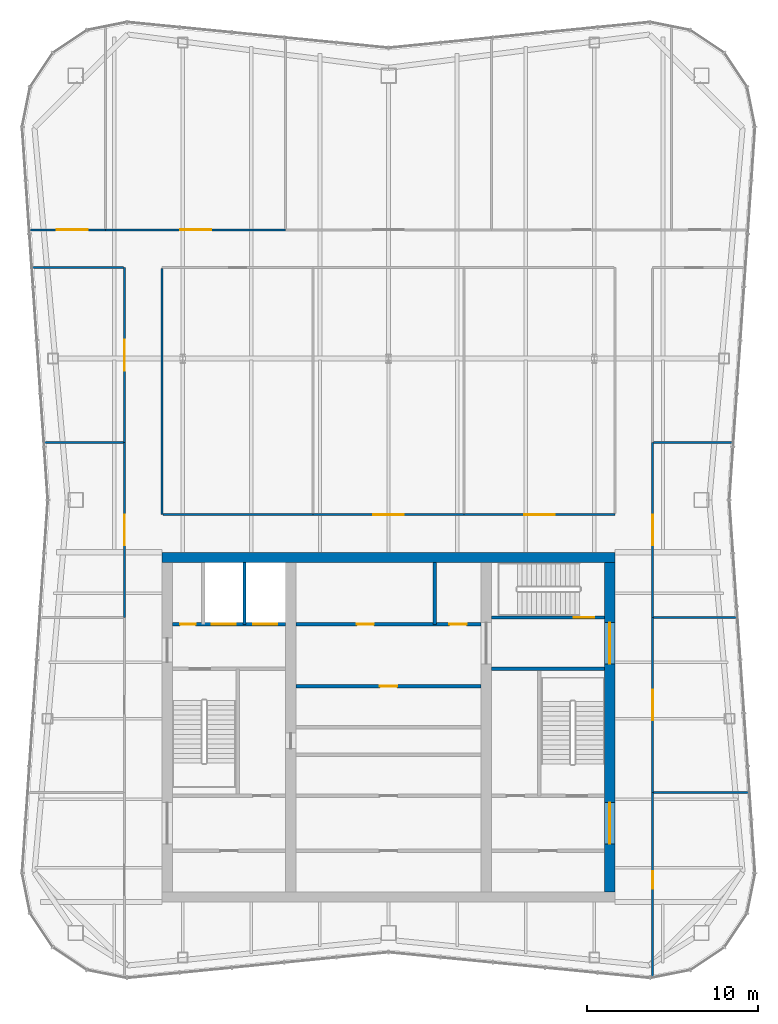
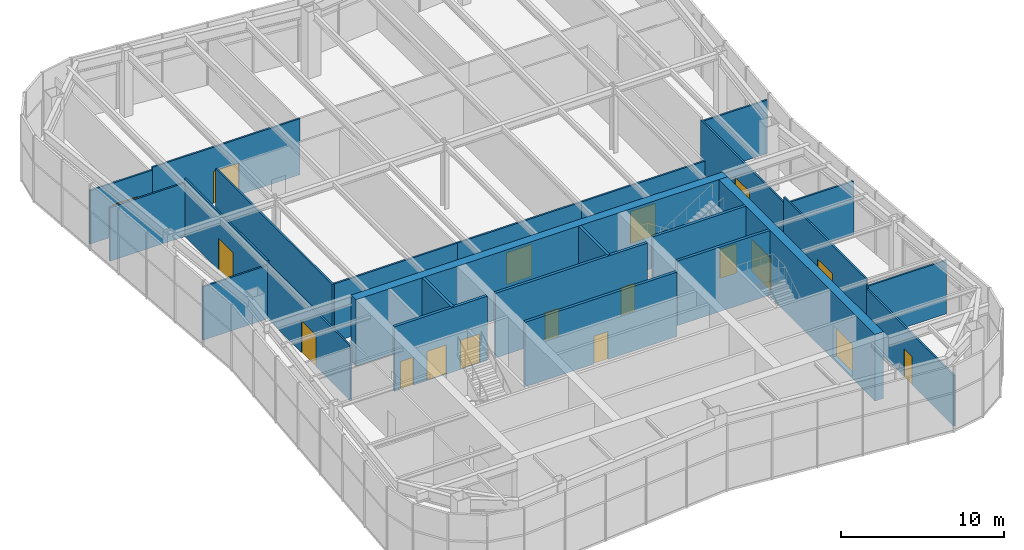
# One storey, part 10 of 13: 25 walls, 18 doors, 18 openings.
"""IFC4 building model written with IfcOpenShell, lengths in metres."""

import ifcopenshell
import ifcopenshell.guid

model = None  # the IFC model being written
_history = None  # IfcOwnerHistory: only IFC2X3 demands one
_inside = {}  # id of a spatial element -> (the spatial element, [elements in it])
_under = {}  # id of a project, library or spatial element -> (it, [spatial elements below it])
_declared = {}  # id of a project -> (the project, [libraries it declares])
_typed = {}  # id of a type object -> (the type object, [elements of that type])
_made_of = {}  # id of a material, layer set ... -> (it, [elements and type objects made of it])


def new_model(schema):
    """Start an empty IFC model of exactly this schema.

    Asked for "IFC4X3", IfcOpenShell would pick the latest addendum, in which some entities
    have other attributes; the version numbers below select the first issue.
    IFC2X3 requires an IfcOwnerHistory on every rooted entity: one is made here for all.
    """
    global model, _history
    if schema == "IFC4X3":
        model = ifcopenshell.file(schema_version=(4, 3, 0, 0))
    else:
        model = ifcopenshell.file(schema=schema)
    _inside.clear()
    _under.clear()
    _declared.clear()
    _typed.clear()
    _made_of.clear()
    _history = None
    if model.schema == "IFC2X3":
        org = make("IfcOrganization", Name="unknown")
        user = make(
            "IfcPersonAndOrganization",
            ThePerson=make("IfcPerson", FamilyName="unknown"),
            TheOrganization=org,
        )
        app = make(
            "IfcApplication",
            ApplicationDeveloper=org,
            Version="unknown",
            ApplicationFullName="unknown",
            ApplicationIdentifier="unknown",
        )
        _history = make(
            "IfcOwnerHistory",
            OwningUser=user,
            OwningApplication=app,
            ChangeAction="ADDED",
            CreationDate=0,
        )
    return model


def make(cls, **values):
    """One entity of the class cls with the attributes given. An attribute that is None is left unset."""
    return model.create_entity(
        cls, **{name: value for name, value in values.items() if value is not None}
    )


def rooted(cls, **values):
    """An entity with a GlobalId (a new one), such as an element, a storey or a relation."""
    return make(cls, GlobalId=ifcopenshell.guid.new(), OwnerHistory=_history, **values)


def si_unit(unit_type, name, prefix=None):
    """IfcSIUnit, for example si_unit("LENGTHUNIT", "METRE", prefix="MILLI")."""
    return make("IfcSIUnit", UnitType=unit_type, Prefix=prefix, Name=name)


def assignment(units):
    """IfcUnitAssignment: the units of a project."""
    return None if units is None else make("IfcUnitAssignment", Units=units)


def point(xyz):
    """IfcCartesianPoint."""
    return None if xyz is None else make("IfcCartesianPoint", Coordinates=xyz)


def direction(xyz):
    """IfcDirection."""
    return None if xyz is None else make("IfcDirection", DirectionRatios=xyz)


def frame(location, z_axis=None, x_axis=None):
    """IfcAxis2Placement3D, a coordinate frame: its origin and axes. An axis left out is left unset."""
    return make(
        "IfcAxis2Placement3D",
        Location=point(location),
        Axis=direction(z_axis),
        RefDirection=direction(x_axis),
    )


def frame_2d(location, x_axis=None):
    """IfcAxis2Placement2D, a coordinate frame in the plane: its origin and x axis."""
    return make(
        "IfcAxis2Placement2D", Location=point(location), RefDirection=direction(x_axis)
    )


def origin():
    """The frame at (0, 0, 0) with its axes left unset."""
    return frame((0.0, 0.0, 0.0))


def place(relative_to, where):
    """IfcLocalPlacement: puts the frame where relative to a parent placement (None: the world)."""
    return make(
        "IfcLocalPlacement", PlacementRelTo=relative_to, RelativePlacement=where
    )


def context(
    kind, dimensions, precision=None, world=None, true_north=None, identifier=None
):
    """IfcGeometricRepresentationContext, for example the 3D "Model" context."""
    return make(
        "IfcGeometricRepresentationContext",
        ContextIdentifier=identifier,
        ContextType=kind,
        CoordinateSpaceDimension=dimensions,
        Precision=precision,
        WorldCoordinateSystem=world,
        TrueNorth=true_north,
    )


def subcontext(parent, identifier, kind, view, scale=None):
    """IfcGeometricRepresentationSubContext, for example "Body" below "Model"."""
    return make(
        "IfcGeometricRepresentationSubContext",
        ContextIdentifier=identifier,
        ContextType=kind,
        ParentContext=parent,
        TargetScale=scale,
        TargetView=view,
    )


def project(units=None, contexts=None):
    """IfcProject with its units and contexts."""
    return rooted(
        "IfcProject",
        Name="project",
        RepresentationContexts=contexts,
        UnitsInContext=assignment(units),
    )


def spatial(cls, under=None, at=None, **own):
    """A site, building, storey or space (cls), placed at a placement, below another one or the project."""
    s = rooted(cls, ObjectPlacement=at, **own)
    if under is not None:
        _under.setdefault(under.id(), (under, []))[1].append(s)
    return s


def profile(cls, at=None, kind="AREA", **sizes):
    """A parametric profile (cls). Its sizes go by their IFC names, for example OverallWidth=200.0."""
    return make(cls, ProfileType=kind, Position=at, **sizes)


def rectangle(**sizes):
    """IfcRectangleProfileDef."""
    return profile("IfcRectangleProfileDef", **sizes)


def extrude(swept, where, along, depth):
    """IfcExtrudedAreaSolid: the profile swept, set in the frame where, extruded along a direction by depth."""
    return make(
        "IfcExtrudedAreaSolid",
        SweptArea=swept,
        Position=where,
        ExtrudedDirection=direction(along),
        Depth=depth,
    )


def shape(context_of_items, identifier, shape_type, items):
    """IfcShapeRepresentation: the items that make up one representation, for example the "Body"."""
    return make(
        "IfcShapeRepresentation",
        ContextOfItems=context_of_items,
        RepresentationIdentifier=identifier,
        RepresentationType=shape_type,
        Items=items,
    )


def material(Name=None, Category=None):
    """IfcMaterial."""
    return make("IfcMaterial", Name=Name, Category=Category)


def layer(
    of_material, thickness, ventilated=None, Name=None, Category=None, Priority=None
):
    """IfcMaterialLayer: one layer of a wall or slab, of a material (None: an air gap)."""
    return make(
        "IfcMaterialLayer",
        Material=of_material,
        LayerThickness=thickness,
        IsVentilated=ventilated,
        Name=Name,
        Category=Category,
        Priority=Priority,
    )


def layer_set(layers, Name=None):
    """IfcMaterialLayerSet."""
    return make("IfcMaterialLayerSet", MaterialLayers=layers, LayerSetName=Name)


def made_of(thing, what):
    """Note that an element or type object is made of a material, layer set ...; save() writes the relation."""
    if what is not None:
        _made_of.setdefault(what.id(), (what, []))[1].append(thing)
    return thing


def type_object(cls, material=None, **own):
    """A type object (cls), such as IfcWallType, which elements share."""
    return made_of(rooted(cls, **own), material)


def element(
    cls,
    number,
    at=None,
    inside=None,
    cuts=None,
    type_object=None,
    material=None,
    context=None,
    identifier="Body",
    shape_type=None,
    held_by="IfcProductDefinitionShape",
    body=None,
    shapes=None,
    **own,
):
    """One element of the class cls, such as IfcWall. Its Tag is "e" and its number.

    at: its placement. inside: the storey or other place that contains it. cuts: it is an
    opening in that element (IfcRelVoidsElement). A single representation is given by context,
    identifier, shape_type and body (its items); several are given by shapes. held_by: the class
    of the entity that holds the representations. save() writes the other relations.
    """
    e = rooted(cls, Tag="e%d" % number, ObjectPlacement=at, **own)
    if body is not None:
        shapes = [shape(context, identifier, shape_type, body)]
    if shapes is not None:
        e.Representation = make(held_by, Representations=shapes)
    if inside is not None:
        _inside.setdefault(inside.id(), (inside, []))[1].append(e)
    if cuts is not None:
        rooted(
            "IfcRelVoidsElement", RelatingBuildingElement=cuts, RelatedOpeningElement=e
        )
    if type_object is not None:
        _typed.setdefault(type_object.id(), (type_object, []))[1].append(e)
    return made_of(e, material)


def fill(opening, filler):
    """IfcRelFillsElement: the door or window that sits in an opening."""
    return rooted(
        "IfcRelFillsElement",
        RelatingOpeningElement=opening,
        RelatedBuildingElement=filler,
    )


def aggregate(whole, parts):
    """IfcRelAggregates: a whole, such as a stair, and the parts it consists of."""
    return rooted("IfcRelAggregates", RelatingObject=whole, RelatedObjects=parts)


def save(model, path):
    """Write the relations noted so far, then the file.

    IfcRelAggregates (storeys below a building ...), IfcRelContainedInSpatialStructure (elements
    in a storey), IfcRelDefinesByType, IfcRelAssociatesMaterial and IfcRelDeclares: one each for
    every whole, place, type object, material and project.
    """
    for whole, parts in _under.values():
        aggregate(whole, parts)
    for where, things in _inside.values():
        rooted(
            "IfcRelContainedInSpatialStructure",
            RelatedElements=things,
            RelatingStructure=where,
        )
    for kind, things in _typed.values():
        rooted("IfcRelDefinesByType", RelatedObjects=things, RelatingType=kind)
    for what, things in _made_of.values():
        rooted("IfcRelAssociatesMaterial", RelatedObjects=things, RelatingMaterial=what)
    for by, libraries in _declared.values():
        rooted("IfcRelDeclares", RelatingContext=by, RelatedDefinitions=libraries)
    model.write(path)


model = new_model("IFC4")

# Units and contexts
model_context = context("Model", 3, precision=1e-05, world=origin(), true_north=direction((0.0, 1.0)))
body_context = subcontext(model_context, "Body", "Model", "MODEL_VIEW")
ifc_project = project(units=[si_unit("LENGTHUNIT", "METRE"), si_unit("AREAUNIT", "SQUARE_METRE"), si_unit("VOLUMEUNIT", "CUBIC_METRE"), si_unit("PLANEANGLEUNIT", "RADIAN"), si_unit("MASSUNIT", "GRAM", prefix="KILO")], contexts=[model_context])

# Site, building, storey
site_placement = place(None, origin())
site = spatial("IfcSite", under=ifc_project, at=site_placement, CompositionType="ELEMENT")
building_placement = place(site_placement, origin())
building = spatial("IfcBuilding", under=site, at=building_placement, Name="Verdant Reach Tower", CompositionType="ELEMENT")
storey_placement = place(building_placement, frame((0.0, 0.0, 354.5)))
storey = spatial("IfcBuildingStorey", under=building, at=storey_placement, Name="L80 Plant", CompositionType="ELEMENT", Elevation=354.5)

# Wall, opening, door
ifc_material_1 = material(Name="Gypsum board on steel studs", Category="steel")
ifc_layer_1 = layer(ifc_material_1, 0.199951171875)
ifc_layer_set_1 = layer_set([ifc_layer_1], Name="CO-WALL-ROOM")
wall_type_1 = type_object("IfcWallType", Name="CO-WALL-ROOM", PredefinedType="PARTITIONING", material=ifc_layer_set_1)
wall_1_placement = place(storey_placement, frame((-5.39990234375, 30.39990234375, 0.0), z_axis=(0.0, 0.0, 1.0), x_axis=(1.0, 0.0, 0.0)))
wall_1 = element("IfcWall", 1, at=wall_1_placement, inside=storey, type_object=wall_type_1, Name="Core partition, L80 Plant", PredefinedType="PARTITIONING", context=body_context, shape_type="SweptSolid", body=[
    extrude(rectangle(XDim=10.7998046875, YDim=0.199951171875, at=frame_2d((5.39990234375, 0.0))), origin(), (0.0, 0.0, 1.0), 4.85009765625),
])
opening_1_placement = place(wall_1_placement, frame((4.89990234375, 0.0, 0.0)))
opening_1 = element("IfcOpeningElement", 2, at=opening_1_placement, cuts=wall_1, Name="Opening CD", PredefinedType="OPENING", context=body_context, shape_type="SweptSolid", body=[
    extrude(rectangle(XDim=1.0, YDim=2.10009765625, at=frame_2d((0.5, 1.050048828125))), frame((0.0, 0.10986328125, 0.0), z_axis=(0.0, -1.0, 0.0), x_axis=(1.0, 0.0, 0.0)), (0.0, 0.0, 1.0), 0.219970703125),
])
ifc_material_2 = material(Name="Timber", Category="wood")
door_type_1 = type_object("IfcDoorType", Name="CO-DOOR-ROOM", OperationType="NOTDEFINED", PredefinedType="DOOR", material=ifc_material_2)
door_1_placement = place(opening_1_placement, origin())
door_1 = element("IfcDoor", 3, at=door_1_placement, inside=storey, type_object=door_type_1, Name="Core room door, L80 Plant", OperationType="SINGLE_SWING_LEFT", OverallHeight=2.10009765625, OverallWidth=1.0, PredefinedType="DOOR", context=body_context, shape_type="SweptSolid", body=[
    extrude(rectangle(XDim=1.0, YDim=2.10009765625, at=frame_2d((0.5, 1.050048828125))), frame((0.0, 0.02490234375, 0.0), z_axis=(0.0, -1.0, 0.0), x_axis=(1.0, 0.0, 0.0)), (0.0, 0.0, 1.0), 0.050048828125),
])
fill(opening_1, door_1)

# Wall, openings, doors
wall_2_placement = place(storey_placement, frame((-5.39990234375, 34.0, 0.0), z_axis=(0.0, 0.0, 1.0), x_axis=(1.0, 0.0, 0.0)))
wall_2 = element("IfcWall", 4, at=wall_2_placement, inside=storey, type_object=wall_type_1, Name="Core partition, L80 Plant", PredefinedType="PARTITIONING", context=body_context, shape_type="SweptSolid", body=[
    extrude(rectangle(XDim=10.7998046875, YDim=0.199951171875, at=frame_2d((5.39990234375, 0.0))), origin(), (0.0, 0.0, 1.0), 4.85009765625),
])
opening_2_placement = place(wall_2_placement, frame((3.550048828125, 0.0, 0.0)))
opening_2 = element("IfcOpeningElement", 5, at=opening_2_placement, cuts=wall_2, Name="Opening CD", PredefinedType="OPENING", context=body_context, shape_type="SweptSolid", body=[
    extrude(rectangle(XDim=1.0, YDim=2.10009765625, at=frame_2d((0.5, 1.050048828125))), frame((0.0, 0.10986328125, 0.0), z_axis=(0.0, -1.0, 0.0), x_axis=(1.0, 0.0, 0.0)), (0.0, 0.0, 1.0), 0.219970703125),
])
opening_3_placement = place(wall_2_placement, frame((8.949951171875, 0.0, 0.0)))
opening_3 = element("IfcOpeningElement", 6, at=opening_3_placement, cuts=wall_2, Name="Opening CD", PredefinedType="OPENING", context=body_context, shape_type="SweptSolid", body=[
    extrude(rectangle(XDim=1.0, YDim=2.10009765625, at=frame_2d((0.5, 1.050048828125))), frame((0.0, 0.10986328125, 0.0), z_axis=(0.0, -1.0, 0.0), x_axis=(1.0, 0.0, 0.0)), (0.0, 0.0, 1.0), 0.219970703125),
])
door_2_placement = place(opening_2_placement, origin())
door_2 = element("IfcDoor", 7, at=door_2_placement, inside=storey, type_object=door_type_1, Name="Core room door, L80 Plant", OperationType="SINGLE_SWING_LEFT", OverallHeight=2.10009765625, OverallWidth=1.0, PredefinedType="DOOR", context=body_context, shape_type="SweptSolid", body=[
    extrude(rectangle(XDim=1.0, YDim=2.10009765625, at=frame_2d((0.5, 1.050048828125))), frame((0.0, 0.02490234375, 0.0), z_axis=(0.0, -1.0, 0.0), x_axis=(1.0, 0.0, 0.0)), (0.0, 0.0, 1.0), 0.050048828125),
])
fill(opening_2, door_2)
door_3_placement = place(opening_3_placement, origin())
door_3 = element("IfcDoor", 8, at=door_3_placement, inside=storey, type_object=door_type_1, Name="Core room door, L80 Plant", OperationType="SINGLE_SWING_LEFT", OverallHeight=2.10009765625, OverallWidth=1.0, PredefinedType="DOOR", context=body_context, shape_type="SweptSolid", body=[
    extrude(rectangle(XDim=1.0, YDim=2.10009765625, at=frame_2d((0.5, 1.050048828125))), frame((0.0, 0.02490234375, 0.0), z_axis=(0.0, -1.0, 0.0), x_axis=(1.0, 0.0, 0.0)), (0.0, 0.0, 1.0), 0.050048828125),
])
fill(opening_3, door_3)

# Wall
wall_3_placement = place(storey_placement, frame((2.699951171875, 34.0, 0.0), z_axis=(0.0, 0.0, 1.0), x_axis=(0.0, 1.0, 0.0)))
element("IfcWall", 9, at=wall_3_placement, inside=storey, type_object=wall_type_1, Name="Core partition, L80 Plant", PredefinedType="PARTITIONING", context=body_context, shape_type="SweptSolid", body=[
    extrude(rectangle(XDim=3.60009765625, YDim=0.199951171875, at=frame_2d((1.800048828125, 0.0))), origin(), (0.0, 0.0, 1.0), 4.85009765625),
])

# Wall, openings, doors
ifc_material_3 = material(Name="Concrete C40/50", Category="concrete")
ifc_layer_2 = layer(ifc_material_3, 0.199951171875)
ifc_layer_set_2 = layer_set([ifc_layer_2], Name="CO-WALL-SHAFT")
wall_type_2 = type_object("IfcWallType", Name="CO-WALL-SHAFT", PredefinedType="PARTITIONING", material=ifc_layer_set_2)
wall_4_placement = place(storey_placement, frame((-12.60009765625, 34.0, 0.0), z_axis=(0.0, 0.0, 1.0), x_axis=(1.0, 0.0, 0.0)))
wall_4 = element("IfcWall", 10, at=wall_4_placement, inside=storey, type_object=wall_type_2, Name="Lift shaft wall, L80 Plant", PredefinedType="PARTITIONING", context=body_context, shape_type="SweptSolid", body=[
    extrude(rectangle(XDim=6.60009765625, YDim=0.199951171875, at=frame_2d((3.300048828125, 0.0))), origin(), (0.0, 0.0, 1.0), 4.85009765625),
])
opening_4_placement = place(wall_4_placement, frame((4.699951171875, 0.0, 0.0)))
opening_4 = element("IfcOpeningElement", 11, at=opening_4_placement, cuts=wall_4, Name="Opening LD-F1", PredefinedType="OPENING", context=body_context, shape_type="SweptSolid", body=[
    extrude(rectangle(XDim=1.39990234375, YDim=2.199951171875, at=frame_2d((0.699951171875, 1.10009765625))), frame((0.0, 0.10986328125, 0.0), z_axis=(0.0, -1.0, 0.0), x_axis=(1.0, 0.0, 0.0)), (0.0, 0.0, 1.0), 0.219970703125),
])
opening_5_placement = place(wall_4_placement, frame((2.300048828125, 0.0, 0.0)))
opening_5 = element("IfcOpeningElement", 12, at=opening_5_placement, cuts=wall_4, Name="Opening LD-F2", PredefinedType="OPENING", context=body_context, shape_type="SweptSolid", body=[
    extrude(rectangle(XDim=1.39990234375, YDim=2.199951171875, at=frame_2d((0.699951171875, 1.10009765625))), frame((0.0, 0.10986328125, 0.0), z_axis=(0.0, -1.0, 0.0), x_axis=(1.0, 0.0, 0.0)), (0.0, 0.0, 1.0), 0.219970703125),
])
opening_6_placement = place(wall_4_placement, frame((0.449951171875, 0.0, 0.0)))
opening_6 = element("IfcOpeningElement", 13, at=opening_6_placement, cuts=wall_4, Name="Opening RD", PredefinedType="OPENING", context=body_context, shape_type="SweptSolid", body=[
    extrude(rectangle(XDim=0.89990234375, YDim=2.10009765625, at=frame_2d((0.449951171875, 1.050048828125))), frame((0.0, 0.10986328125, 0.0), z_axis=(0.0, -1.0, 0.0), x_axis=(1.0, 0.0, 0.0)), (0.0, 0.0, 1.0), 0.219970703125),
])
ifc_material_4 = material(Name="Stainless steel", Category="steel")
door_type_2 = type_object("IfcDoorType", Name="CO-DOOR-LANDING-FF", OperationType="SLIDING_TO_LEFT", PredefinedType="DOOR", material=ifc_material_4)
door_4_placement = place(opening_4_placement, origin())
door_4 = element("IfcDoor", 14, at=door_4_placement, inside=storey, type_object=door_type_2, Name="Landing door F1, L80 Plant", OperationType="SLIDING_TO_LEFT", OverallHeight=2.199951171875, OverallWidth=1.39990234375, PredefinedType="DOOR", context=body_context, shape_type="SweptSolid", body=[
    extrude(rectangle(XDim=1.39990234375, YDim=2.199951171875, at=frame_2d((0.699951171875, 1.10009765625))), frame((0.0, 0.02490234375, 0.0), z_axis=(0.0, -1.0, 0.0), x_axis=(1.0, 0.0, 0.0)), (0.0, 0.0, 1.0), 0.050048828125),
])
fill(opening_4, door_4)
door_5_placement = place(opening_5_placement, origin())
door_5 = element("IfcDoor", 15, at=door_5_placement, inside=storey, type_object=door_type_2, Name="Landing door F2, L80 Plant", OperationType="SLIDING_TO_LEFT", OverallHeight=2.199951171875, OverallWidth=1.39990234375, PredefinedType="DOOR", context=body_context, shape_type="SweptSolid", body=[
    extrude(rectangle(XDim=1.39990234375, YDim=2.199951171875, at=frame_2d((0.699951171875, 1.10009765625))), frame((0.0, 0.02490234375, 0.0), z_axis=(0.0, -1.0, 0.0), x_axis=(1.0, 0.0, 0.0)), (0.0, 0.0, 1.0), 0.050048828125),
])
fill(opening_5, door_5)
ifc_material_5 = material(Name="Steel", Category="steel")
door_type_3 = type_object("IfcDoorType", Name="CO-DOOR-RISER", OperationType="NOTDEFINED", PredefinedType="DOOR", material=ifc_material_5)
door_6_placement = place(opening_6_placement, origin())
door_6 = element("IfcDoor", 16, at=door_6_placement, inside=storey, type_object=door_type_3, Name="Core room door, L80 Plant", OperationType="SINGLE_SWING_LEFT", OverallHeight=2.10009765625, OverallWidth=0.89990234375, PredefinedType="DOOR", context=body_context, shape_type="SweptSolid", body=[
    extrude(rectangle(XDim=0.89990234375, YDim=2.10009765625, at=frame_2d((0.449951171875, 1.050048828125))), frame((0.0, 0.02490234375, 0.0), z_axis=(0.0, -1.0, 0.0), x_axis=(1.0, 0.0, 0.0)), (0.0, 0.0, 1.0), 0.050048828125),
])
fill(opening_6, door_6)

# Walls
wall_5_placement = place(storey_placement, frame((-8.39990234375, 34.0, 0.0), z_axis=(0.0, 0.0, 1.0), x_axis=(0.0, 1.0, 0.0)))
element("IfcWall", 17, at=wall_5_placement, inside=storey, type_object=wall_type_2, Name="Lift shaft wall, L80 Plant", PredefinedType="PARTITIONING", context=body_context, shape_type="SweptSolid", body=[
    extrude(rectangle(XDim=3.60009765625, YDim=0.199951171875, at=frame_2d((1.800048828125, 0.0))), origin(), (0.0, 0.0, 1.0), 4.85009765625),
])
ifc_layer_3 = layer(ifc_material_3, 0.199951171875)
ifc_layer_set_3 = layer_set([ifc_layer_3], Name="CO-WALL-STAIR")
wall_type_3 = type_object("IfcWallType", Name="CO-WALL-STAIR", PredefinedType="PARTITIONING", material=ifc_layer_set_3)
wall_6_placement = place(storey_placement, frame((6.0, 31.39990234375, 0.0), z_axis=(0.0, 0.0, 1.0), x_axis=(1.0, 0.0, 0.0)))
element("IfcWall", 18, at=wall_6_placement, inside=storey, type_object=wall_type_3, Name="Stair enclosure wall, L80 Plant", PredefinedType="PARTITIONING", context=body_context, shape_type="SweptSolid", body=[
    extrude(rectangle(XDim=6.60009765625, YDim=0.199951171875, at=frame_2d((3.300048828125, 0.0))), origin(), (0.0, 0.0, 1.0), 4.85009765625),
])

# Wall, opening, door
wall_7_placement = place(storey_placement, frame((6.0, 34.39990234375, 0.0), z_axis=(0.0, 0.0, 1.0), x_axis=(1.0, 0.0, 0.0)))
wall_7 = element("IfcWall", 19, at=wall_7_placement, inside=storey, type_object=wall_type_3, Name="Stair enclosure wall, L80 Plant", PredefinedType="PARTITIONING", context=body_context, shape_type="SweptSolid", body=[
    extrude(rectangle(XDim=6.60009765625, YDim=0.199951171875, at=frame_2d((3.300048828125, 0.0))), origin(), (0.0, 0.0, 1.0), 4.85009765625),
])
opening_7_placement = place(wall_7_placement, frame((4.800048828125, 0.0, 0.0)))
opening_7 = element("IfcOpeningElement", 20, at=opening_7_placement, cuts=wall_7, Name="Opening SD", PredefinedType="OPENING", context=body_context, shape_type="SweptSolid", body=[
    extrude(rectangle(XDim=1.199951171875, YDim=2.199951171875, at=frame_2d((0.60009765625, 1.10009765625))), frame((0.0, 0.10986328125, 0.0), z_axis=(0.0, -1.0, 0.0), x_axis=(1.0, 0.0, 0.0)), (0.0, 0.0, 1.0), 0.219970703125),
])
door_type_4 = type_object("IfcDoorType", Name="CO-DOOR-STAIR", OperationType="NOTDEFINED", PredefinedType="DOOR", material=ifc_material_5)
door_7_placement = place(opening_7_placement, origin())
door_7 = element("IfcDoor", 21, at=door_7_placement, inside=storey, type_object=door_type_4, Name="Stair door, L80 Plant", OperationType="SINGLE_SWING_LEFT", OverallHeight=2.199951171875, OverallWidth=1.199951171875, PredefinedType="DOOR", context=body_context, shape_type="SweptSolid", body=[
    extrude(rectangle(XDim=1.199951171875, YDim=2.199951171875, at=frame_2d((0.60009765625, 1.10009765625))), frame((0.0, 0.02490234375, 0.0), z_axis=(0.0, -1.0, 0.0), x_axis=(1.0, 0.0, 0.0)), (0.0, 0.0, 1.0), 0.050048828125),
])
fill(opening_7, door_7)

# Wall
ifc_material_6 = material(Name="Concrete C70/85", Category="concrete")
ifc_layer_4 = layer(ifc_material_6, 0.60009765625)
ifc_layer_set_4 = layer_set([ifc_layer_4], Name="ST-CORE-WALL-600")
wall_type_4 = type_object("IfcWallType", Name="ST-CORE-WALL-600", PredefinedType="SHEAR", material=ifc_layer_set_4)
wall_8_placement = place(storey_placement, frame((-13.199951171875, 37.89990234375, -0.14990234375), z_axis=(0.0, 0.0, 1.0), x_axis=(1.0, 0.0, 0.0)))
element("IfcWall", 22, at=wall_8_placement, inside=storey, type_object=wall_type_4, Name="Core wall N, L80 Plant", PredefinedType="SHEAR", context=body_context, shape_type="SweptSolid", body=[
    extrude(rectangle(XDim=26.39990234375, YDim=0.60009765625, at=frame_2d((13.199951171875, 0.0))), origin(), (0.0, 0.0, 1.0), 5.0),
])

# Wall, openings, doors
wall_9_placement = place(storey_placement, frame((12.89990234375, 18.39990234375, -0.14990234375), z_axis=(0.0, 0.0, 1.0), x_axis=(0.0, 1.0, 0.0)))
wall_9 = element("IfcWall", 23, at=wall_9_placement, inside=storey, type_object=wall_type_4, Name="Core wall E, L80 Plant", PredefinedType="SHEAR", context=body_context, shape_type="SweptSolid", body=[
    extrude(rectangle(XDim=19.2001953125, YDim=0.60009765625, at=frame_2d((9.60009765625, 0.0))), origin(), (0.0, 0.0, 1.0), 5.0),
])
opening_8_placement = place(wall_9_placement, frame((2.800048828125, 0.0, 0.14990234375)))
opening_8 = element("IfcOpeningElement", 24, at=opening_8_placement, cuts=wall_9, Name="Opening LB", PredefinedType="OPENING", context=body_context, shape_type="SweptSolid", body=[
    extrude(rectangle(XDim=2.39990234375, YDim=2.39990234375, at=frame_2d((1.199951171875, 1.199951171875))), frame((0.0, 0.31005859375, 0.0), z_axis=(0.0, -1.0, 0.0), x_axis=(1.0, 0.0, 0.0)), (0.0, 0.0, 1.0), 0.6201171875),
])
opening_9_placement = place(wall_9_placement, frame((13.300048828125, 0.0, 0.14990234375)))
opening_9 = element("IfcOpeningElement", 25, at=opening_9_placement, cuts=wall_9, Name="Opening LB", PredefinedType="OPENING", context=body_context, shape_type="SweptSolid", body=[
    extrude(rectangle(XDim=2.39990234375, YDim=2.39990234375, at=frame_2d((1.199951171875, 1.199951171875))), frame((0.0, 0.31005859375, 0.0), z_axis=(0.0, -1.0, 0.0), x_axis=(1.0, 0.0, 0.0)), (0.0, 0.0, 1.0), 0.6201171875),
])
ifc_material_7 = material(Name="Glass and steel", Category="steel")
door_type_5 = type_object("IfcDoorType", Name="CO-DOOR-LOBBY", OperationType="DOUBLE_DOOR_SINGLE_SWING", PredefinedType="DOOR", material=ifc_material_7)
door_8_placement = place(opening_8_placement, origin())
door_8 = element("IfcDoor", 26, at=door_8_placement, inside=storey, type_object=door_type_5, Name="Core entrance door, L80 Plant", OperationType="DOUBLE_DOOR_SINGLE_SWING", OverallHeight=2.39990234375, OverallWidth=2.39990234375, PredefinedType="DOOR", context=body_context, shape_type="SweptSolid", body=[
    extrude(rectangle(XDim=2.39990234375, YDim=2.39990234375, at=frame_2d((1.199951171875, 1.199951171875))), frame((0.0, 0.02490234375, 0.0), z_axis=(0.0, -1.0, 0.0), x_axis=(1.0, 0.0, 0.0)), (0.0, 0.0, 1.0), 0.050048828125),
])
fill(opening_8, door_8)
door_9_placement = place(opening_9_placement, origin())
door_9 = element("IfcDoor", 27, at=door_9_placement, inside=storey, type_object=door_type_5, Name="Core entrance door, L80 Plant", OperationType="DOUBLE_DOOR_SINGLE_SWING", OverallHeight=2.39990234375, OverallWidth=2.39990234375, PredefinedType="DOOR", context=body_context, shape_type="SweptSolid", body=[
    extrude(rectangle(XDim=2.39990234375, YDim=2.39990234375, at=frame_2d((1.199951171875, 1.199951171875))), frame((0.0, 0.02490234375, 0.0), z_axis=(0.0, -1.0, 0.0), x_axis=(1.0, 0.0, 0.0)), (0.0, 0.0, 1.0), 0.050048828125),
])
fill(opening_9, door_9)

# Walls
ifc_material_8 = material(Name="Gypsum board on steel studs, fire rated", Category="steel")
ifc_layer_5 = layer(ifc_material_8, 0.125)
ifc_layer_set_5 = layer_set([ifc_layer_5], Name="SV-W2 Plant wall 125 EI 60")
wall_type_5 = type_object("IfcWallType", Name="SV-W2 Plant wall 125 EI 60", PredefinedType="PARTITIONING", material=ifc_layer_set_5)
wall_10_placement = place(storey_placement, frame((-13.199951171875, 54.737548828125, 0.0), z_axis=(0.0, 0.0, 1.0), x_axis=(0.0, -1.0, 0.0)))
element("IfcWall", 28, at=wall_10_placement, inside=storey, type_object=wall_type_5, Name="Partition L80.02", PredefinedType="PARTITIONING", context=body_context, shape_type="SweptSolid", body=[
    extrude(rectangle(XDim=14.337646484375, YDim=0.125, at=frame_2d((7.1689453125, 0.0))), origin(), (0.0, 0.0, 1.0), 4.330078125),
])
wall_11_placement = place(storey_placement, frame((-13.137451171875, 40.39990234375, 0.0), z_axis=(0.0, 0.0, 1.0), x_axis=(1.0, 0.0, 0.0)))
element("IfcWall", 29, at=wall_11_placement, inside=storey, type_object=wall_type_5, Name="Partition L80.03", PredefinedType="PARTITIONING", context=body_context, shape_type="SweptSolid", body=[
    extrude(rectangle(XDim=8.737548828125, YDim=0.125, at=frame_2d((4.36865234375, 0.0))), origin(), (0.0, 0.0, 1.0), 4.3701171875),
])

# Wall, opening, door
wall_12_placement = place(storey_placement, frame((4.39990234375, 40.39990234375, 0.0), z_axis=(0.0, 0.0, 1.0), x_axis=(-1.0, 0.0, 0.0)))
wall_12 = element("IfcWall", 30, at=wall_12_placement, inside=storey, type_object=wall_type_5, Name="Partition L80.04", PredefinedType="PARTITIONING", context=body_context, shape_type="SweptSolid", body=[
    extrude(rectangle(XDim=8.7998046875, YDim=0.125, at=frame_2d((4.39990234375, 0.0))), origin(), (0.0, 0.0, 1.0), 4.3701171875),
])
opening_10_placement = place(wall_12_placement, frame((3.5, 0.0, 0.0)))
opening_10 = element("IfcOpeningElement", 31, at=opening_10_placement, cuts=wall_12, Name="Opening SD3", PredefinedType="OPENING", context=body_context, shape_type="SweptSolid", body=[
    extrude(rectangle(XDim=1.800048828125, YDim=2.39990234375, at=frame_2d((0.89990234375, 1.199951171875))), frame((0.0, 0.072509765625, 0.0), z_axis=(0.0, -1.0, 0.0), x_axis=(1.0, 0.0, 0.0)), (0.0, 0.0, 1.0), 0.14501953125),
])
ifc_material_9 = material(Name="Steel door leaves, fire rated", Category="steel")
door_type_6 = type_object("IfcDoorType", Name="SV-D3 Equipment door 1800x2400 FD60", OperationType="DOUBLE_DOOR_SINGLE_SWING", PredefinedType="DOOR", material=ifc_material_9)
door_10_placement = place(opening_10_placement, origin())
door_10 = element("IfcDoor", 32, at=door_10_placement, inside=storey, type_object=door_type_6, Name="Door L80-002", OperationType="DOUBLE_DOOR_SINGLE_SWING", OverallHeight=2.39990234375, OverallWidth=1.800048828125, PredefinedType="DOOR", context=body_context, shape_type="SweptSolid", body=[
    extrude(rectangle(XDim=1.800048828125, YDim=2.39990234375, at=frame_2d((0.89990234375, 1.199951171875))), frame((0.0, 0.02490234375, 0.0), z_axis=(0.0, -1.0, 0.0), x_axis=(1.0, 0.0, 0.0)), (0.0, 0.0, 1.0), 0.050048828125),
])
fill(opening_10, door_10)

wall_13_placement = place(storey_placement, frame((13.199951171875, 40.39990234375, 0.0), z_axis=(0.0, 0.0, 1.0), x_axis=(-1.0, 0.0, 0.0)))
wall_13 = element("IfcWall", 33, at=wall_13_placement, inside=storey, type_object=wall_type_5, Name="Partition L80.06", PredefinedType="PARTITIONING", context=body_context, shape_type="SweptSolid", body=[
    extrude(rectangle(XDim=8.800048828125, YDim=0.125, at=frame_2d((4.39990234375, 0.0))), origin(), (0.0, 0.0, 1.0), 4.3701171875),
])
opening_11_placement = place(wall_13_placement, frame((3.5, 0.0, 0.0)))
opening_11 = element("IfcOpeningElement", 34, at=opening_11_placement, cuts=wall_13, Name="Opening SD3", PredefinedType="OPENING", context=body_context, shape_type="SweptSolid", body=[
    extrude(rectangle(XDim=1.800048828125, YDim=2.39990234375, at=frame_2d((0.89990234375, 1.199951171875))), frame((0.0, 0.072509765625, 0.0), z_axis=(0.0, -1.0, 0.0), x_axis=(1.0, 0.0, 0.0)), (0.0, 0.0, 1.0), 0.14501953125),
])
door_11_placement = place(opening_11_placement, origin())
door_11 = element("IfcDoor", 35, at=door_11_placement, inside=storey, type_object=door_type_6, Name="Door L80-003", OperationType="DOUBLE_DOOR_SINGLE_SWING", OverallHeight=2.39990234375, OverallWidth=1.800048828125, PredefinedType="DOOR", context=body_context, shape_type="SweptSolid", body=[
    extrude(rectangle(XDim=1.800048828125, YDim=2.39990234375, at=frame_2d((0.89990234375, 1.199951171875))), frame((0.0, 0.02490234375, 0.0), z_axis=(0.0, -1.0, 0.0), x_axis=(1.0, 0.0, 0.0)), (0.0, 0.0, 1.0), 0.050048828125),
])
fill(opening_11, door_11)

wall_14_placement = place(storey_placement, frame((-15.39990234375, 44.60009765625, 0.0), z_axis=(0.0, 0.0, 1.0), x_axis=(0.0, -1.0, 0.0)))
wall_14 = element("IfcWall", 36, at=wall_14_placement, inside=storey, type_object=wall_type_5, Name="Partition L80.11", PredefinedType="PARTITIONING", context=body_context, shape_type="SweptSolid", body=[
    extrude(rectangle(XDim=10.2001953125, YDim=0.125, at=frame_2d((5.10009765625, 0.0))), origin(), (0.0, 0.0, 1.0), 4.1201171875),
])
opening_12_placement = place(wall_14_placement, frame((4.199951171875, 0.0, 0.0)))
opening_12 = element("IfcOpeningElement", 37, at=opening_12_placement, cuts=wall_14, Name="Opening SD3", PredefinedType="OPENING", context=body_context, shape_type="SweptSolid", body=[
    extrude(rectangle(XDim=1.800048828125, YDim=2.39990234375, at=frame_2d((0.89990234375, 1.199951171875))), frame((0.0, 0.072509765625, 0.0), z_axis=(0.0, -1.0, 0.0), x_axis=(1.0, 0.0, 0.0)), (0.0, 0.0, 1.0), 0.14501953125),
])
door_12_placement = place(opening_12_placement, origin())
door_12 = element("IfcDoor", 38, at=door_12_placement, inside=storey, type_object=door_type_6, Name="Door L80-006", OperationType="DOUBLE_DOOR_SINGLE_SWING", OverallHeight=2.39990234375, OverallWidth=1.800048828125, PredefinedType="DOOR", context=body_context, shape_type="SweptSolid", body=[
    extrude(rectangle(XDim=1.800048828125, YDim=2.39990234375, at=frame_2d((0.89990234375, 1.199951171875))), frame((0.0, 0.02490234375, 0.0), z_axis=(0.0, -1.0, 0.0), x_axis=(1.0, 0.0, 0.0)), (0.0, 0.0, 1.0), 0.050048828125),
])
fill(opening_12, door_12)

wall_15_placement = place(storey_placement, frame((-15.39990234375, 54.800048828125, 0.0), z_axis=(0.0, 0.0, 1.0), x_axis=(0.0, -1.0, 0.0)))
wall_15 = element("IfcWall", 39, at=wall_15_placement, inside=storey, type_object=wall_type_5, Name="Partition L80.12", PredefinedType="PARTITIONING", context=body_context, shape_type="SweptSolid", body=[
    extrude(rectangle(XDim=10.199951171875, YDim=0.125, at=frame_2d((5.10009765625, 0.0))), origin(), (0.0, 0.0, 1.0), 4.330078125),
])
opening_13_placement = place(wall_15_placement, frame((4.199951171875, 0.0, 0.0)))
opening_13 = element("IfcOpeningElement", 40, at=opening_13_placement, cuts=wall_15, Name="Opening SD3", PredefinedType="OPENING", context=body_context, shape_type="SweptSolid", body=[
    extrude(rectangle(XDim=1.800048828125, YDim=2.39990234375, at=frame_2d((0.89990234375, 1.199951171875))), frame((0.0, 0.072509765625, 0.0), z_axis=(0.0, -1.0, 0.0), x_axis=(1.0, 0.0, 0.0)), (0.0, 0.0, 1.0), 0.14501953125),
])
door_13_placement = place(opening_13_placement, origin())
door_13 = element("IfcDoor", 41, at=door_13_placement, inside=storey, type_object=door_type_6, Name="Door L80-007", OperationType="DOUBLE_DOOR_SINGLE_SWING", OverallHeight=2.39990234375, OverallWidth=1.800048828125, PredefinedType="DOOR", context=body_context, shape_type="SweptSolid", body=[
    extrude(rectangle(XDim=1.800048828125, YDim=2.39990234375, at=frame_2d((0.89990234375, 1.199951171875))), frame((0.0, 0.02490234375, 0.0), z_axis=(0.0, -1.0, 0.0), x_axis=(1.0, 0.0, 0.0)), (0.0, 0.0, 1.0), 0.050048828125),
])
fill(opening_13, door_13)

# Wall
wall_16_placement = place(storey_placement, frame((-15.46240234375, 54.800048828125, 0.0), z_axis=(0.0, 0.0, 1.0), x_axis=(-1.0, 0.0, 0.0)))
element("IfcWall", 42, at=wall_16_placement, inside=storey, type_object=wall_type_5, Name="Partition L80.13", PredefinedType="PARTITIONING", context=body_context, shape_type="SweptSolid", body=[
    extrude(rectangle(XDim=5.302001953125, YDim=0.125, at=frame_2d((2.65087890625, 0.0))), origin(), (0.0, 0.0, 1.0), 4.02001953125),
])

# Wall, opening, door
wall_17_placement = place(storey_placement, frame((15.39990234375, 13.44970703125, 0.0), z_axis=(0.0, 0.0, 1.0), x_axis=(0.0, 1.0, 0.0)))
wall_17 = element("IfcWall", 43, at=wall_17_placement, inside=storey, type_object=wall_type_5, Name="Partition L80.14", PredefinedType="PARTITIONING", context=body_context, shape_type="SweptSolid", body=[
    extrude(rectangle(XDim=10.750244140625, YDim=0.125, at=frame_2d((5.375, 0.0))), origin(), (0.0, 0.0, 1.0), 3.81201171875),
])
opening_14_placement = place(wall_17_placement, frame((5.144775390625, 0.0, 0.0)))
opening_14 = element("IfcOpeningElement", 44, at=opening_14_placement, cuts=wall_17, Name="Opening SD2", PredefinedType="OPENING", context=body_context, shape_type="SweptSolid", body=[
    extrude(rectangle(XDim=1.0, YDim=2.10009765625, at=frame_2d((0.5, 1.050048828125))), frame((0.0, 0.072509765625, 0.0), z_axis=(0.0, -1.0, 0.0), x_axis=(1.0, 0.0, 0.0)), (0.0, 0.0, 1.0), 0.14501953125),
])
ifc_material_10 = material(Name="Steel door leaf, fire rated", Category="steel")
door_type_7 = type_object("IfcDoorType", Name="SV-D2 Door 1000x2100 FD60", OperationType="NOTDEFINED", PredefinedType="DOOR", material=ifc_material_10)
door_14_placement = place(opening_14_placement, origin())
door_14 = element("IfcDoor", 45, at=door_14_placement, inside=storey, type_object=door_type_7, Name="Door L80-008", OperationType="SINGLE_SWING_RIGHT", OverallHeight=2.10009765625, OverallWidth=1.0, PredefinedType="DOOR", context=body_context, shape_type="SweptSolid", body=[
    extrude(rectangle(XDim=1.0, YDim=2.10009765625, at=frame_2d((0.5, 1.050048828125))), frame((0.0, 0.02490234375, 0.0), z_axis=(0.0, -1.0, 0.0), x_axis=(1.0, 0.0, 0.0)), (0.0, 0.0, 1.0), 0.050048828125),
])
fill(opening_14, door_14)

wall_18_placement = place(storey_placement, frame((15.39990234375, 24.199951171875, 0.0), z_axis=(0.0, 0.0, 1.0), x_axis=(0.0, 1.0, 0.0)))
wall_18 = element("IfcWall", 46, at=wall_18_placement, inside=storey, type_object=wall_type_5, Name="Partition L80.15", PredefinedType="PARTITIONING", context=body_context, shape_type="SweptSolid", body=[
    extrude(rectangle(XDim=10.199951171875, YDim=0.125, at=frame_2d((5.10009765625, 0.0))), origin(), (0.0, 0.0, 1.0), 4.52001953125),
])
opening_15_placement = place(wall_18_placement, frame((4.199951171875, 0.0, 0.0)))
opening_15 = element("IfcOpeningElement", 47, at=opening_15_placement, cuts=wall_18, Name="Opening SD3", PredefinedType="OPENING", context=body_context, shape_type="SweptSolid", body=[
    extrude(rectangle(XDim=1.800048828125, YDim=2.39990234375, at=frame_2d((0.89990234375, 1.199951171875))), frame((0.0, 0.072509765625, 0.0), z_axis=(0.0, -1.0, 0.0), x_axis=(1.0, 0.0, 0.0)), (0.0, 0.0, 1.0), 0.14501953125),
])
door_15_placement = place(opening_15_placement, origin())
door_15 = element("IfcDoor", 48, at=door_15_placement, inside=storey, type_object=door_type_6, Name="Door L80-009", OperationType="DOUBLE_DOOR_SINGLE_SWING", OverallHeight=2.39990234375, OverallWidth=1.800048828125, PredefinedType="DOOR", context=body_context, shape_type="SweptSolid", body=[
    extrude(rectangle(XDim=1.800048828125, YDim=2.39990234375, at=frame_2d((0.89990234375, 1.199951171875))), frame((0.0, 0.02490234375, 0.0), z_axis=(0.0, -1.0, 0.0), x_axis=(1.0, 0.0, 0.0)), (0.0, 0.0, 1.0), 0.050048828125),
])
fill(opening_15, door_15)

wall_19_placement = place(storey_placement, frame((15.39990234375, 34.39990234375, 0.0), z_axis=(0.0, 0.0, 1.0), x_axis=(0.0, 1.0, 0.0)))
wall_19 = element("IfcWall", 49, at=wall_19_placement, inside=storey, type_object=wall_type_5, Name="Partition L80.16", PredefinedType="PARTITIONING", context=body_context, shape_type="SweptSolid", body=[
    extrude(rectangle(XDim=10.2001953125, YDim=0.125, at=frame_2d((5.10009765625, 0.0))), origin(), (0.0, 0.0, 1.0), 4.1201171875),
])
opening_16_placement = place(wall_19_placement, frame((4.199951171875, 0.0, 0.0)))
opening_16 = element("IfcOpeningElement", 50, at=opening_16_placement, cuts=wall_19, Name="Opening SD3", PredefinedType="OPENING", context=body_context, shape_type="SweptSolid", body=[
    extrude(rectangle(XDim=1.800048828125, YDim=2.39990234375, at=frame_2d((0.89990234375, 1.199951171875))), frame((0.0, 0.072509765625, 0.0), z_axis=(0.0, -1.0, 0.0), x_axis=(1.0, 0.0, 0.0)), (0.0, 0.0, 1.0), 0.14501953125),
])
door_16_placement = place(opening_16_placement, origin())
door_16 = element("IfcDoor", 51, at=door_16_placement, inside=storey, type_object=door_type_6, Name="Door L80-010", OperationType="DOUBLE_DOOR_SINGLE_SWING", OverallHeight=2.39990234375, OverallWidth=1.800048828125, PredefinedType="DOOR", context=body_context, shape_type="SweptSolid", body=[
    extrude(rectangle(XDim=1.800048828125, YDim=2.39990234375, at=frame_2d((0.89990234375, 1.199951171875))), frame((0.0, 0.02490234375, 0.0), z_axis=(0.0, -1.0, 0.0), x_axis=(1.0, 0.0, 0.0)), (0.0, 0.0, 1.0), 0.050048828125),
])
fill(opening_16, door_16)

wall_20_placement = place(storey_placement, frame((-16.5, 57.0, 0.0), z_axis=(0.0, 0.0, 1.0), x_axis=(-1.0, 0.0, 0.0)))
wall_20 = element("IfcWall", 52, at=wall_20_placement, inside=storey, type_object=wall_type_5, Name="Partition L80.19", PredefinedType="PARTITIONING", context=body_context, shape_type="SweptSolid", body=[
    extrude(rectangle(XDim=4.416259765625, YDim=0.125, at=frame_2d((2.2080078125, 0.0))), origin(), (0.0, 0.0, 1.0), 4.02001953125),
])
opening_17_placement = place(wall_20_placement, frame((1.04248046875, 0.0, 0.0)))
opening_17 = element("IfcOpeningElement", 53, at=opening_17_placement, cuts=wall_20, Name="Opening SD3", PredefinedType="OPENING", context=body_context, shape_type="SweptSolid", body=[
    extrude(rectangle(XDim=1.800048828125, YDim=2.39990234375, at=frame_2d((0.89990234375, 1.199951171875))), frame((0.0, 0.072509765625, 0.0), z_axis=(0.0, -1.0, 0.0), x_axis=(1.0, 0.0, 0.0)), (0.0, 0.0, 1.0), 0.14501953125),
])
door_17_placement = place(opening_17_placement, origin())
door_17 = element("IfcDoor", 54, at=door_17_placement, inside=storey, type_object=door_type_6, Name="Door L80-012", OperationType="DOUBLE_DOOR_SINGLE_SWING", OverallHeight=2.39990234375, OverallWidth=1.800048828125, PredefinedType="DOOR", context=body_context, shape_type="SweptSolid", body=[
    extrude(rectangle(XDim=1.800048828125, YDim=2.39990234375, at=frame_2d((0.89990234375, 1.199951171875))), frame((0.0, 0.02490234375, 0.0), z_axis=(0.0, -1.0, 0.0), x_axis=(1.0, 0.0, 0.0)), (0.0, 0.0, 1.0), 0.050048828125),
])
fill(opening_17, door_17)

wall_21_placement = place(storey_placement, frame((-6.0, 57.0, 0.0), z_axis=(0.0, 0.0, 1.0), x_axis=(-1.0, 0.0, 0.0)))
wall_21 = element("IfcWall", 55, at=wall_21_placement, inside=storey, type_object=wall_type_5, Name="Partition L80.20", PredefinedType="PARTITIONING", context=body_context, shape_type="SweptSolid", body=[
    extrude(rectangle(XDim=10.5, YDim=0.125, at=frame_2d((5.25, 0.0))), origin(), (0.0, 0.0, 1.0), 4.219970703125),
])
opening_18_placement = place(wall_21_placement, frame((4.35009765625, 0.0, 0.0)))
opening_18 = element("IfcOpeningElement", 56, at=opening_18_placement, cuts=wall_21, Name="Opening SD3", PredefinedType="OPENING", context=body_context, shape_type="SweptSolid", body=[
    extrude(rectangle(XDim=1.800048828125, YDim=2.39990234375, at=frame_2d((0.89990234375, 1.199951171875))), frame((0.0, 0.072509765625, 0.0), z_axis=(0.0, -1.0, 0.0), x_axis=(1.0, 0.0, 0.0)), (0.0, 0.0, 1.0), 0.14501953125),
])
door_18_placement = place(opening_18_placement, origin())
door_18 = element("IfcDoor", 57, at=door_18_placement, inside=storey, type_object=door_type_6, Name="Door L80-013", OperationType="DOUBLE_DOOR_SINGLE_SWING", OverallHeight=2.39990234375, OverallWidth=1.800048828125, PredefinedType="DOOR", context=body_context, shape_type="SweptSolid", body=[
    extrude(rectangle(XDim=1.800048828125, YDim=2.39990234375, at=frame_2d((0.89990234375, 1.199951171875))), frame((0.0, 0.02490234375, 0.0), z_axis=(0.0, -1.0, 0.0), x_axis=(1.0, 0.0, 0.0)), (0.0, 0.0, 1.0), 0.050048828125),
])
fill(opening_18, door_18)

# Walls
wall_22_placement = place(storey_placement, frame((-20.06103515625, 44.60009765625, 0.0), z_axis=(0.0, 0.0, 1.0), x_axis=(1.0, 0.0, 0.0)))
element("IfcWall", 58, at=wall_22_placement, inside=storey, type_object=wall_type_5, Name="Partition L80.28", PredefinedType="PARTITIONING", context=body_context, shape_type="SweptSolid", body=[
    extrude(rectangle(XDim=4.5986328125, YDim=0.125, at=frame_2d((2.29931640625, 0.0))), origin(), (0.0, 0.0, 1.0), 4.02001953125),
])
wall_23_placement = place(storey_placement, frame((15.46240234375, 24.199951171875, 0.0), z_axis=(0.0, 0.0, 1.0), x_axis=(1.0, 0.0, 0.0)))
element("IfcWall", 59, at=wall_23_placement, inside=storey, type_object=wall_type_5, Name="Partition L80.29", PredefinedType="PARTITIONING", context=body_context, shape_type="SweptSolid", body=[
    extrude(rectangle(XDim=5.54345703125, YDim=0.125, at=frame_2d((2.771728515625, 0.0))), origin(), (0.0, 0.0, 1.0), 4.02001953125),
])
wall_24_placement = place(storey_placement, frame((15.46240234375, 34.39990234375, 0.0), z_axis=(0.0, 0.0, 1.0), x_axis=(1.0, 0.0, 0.0)))
element("IfcWall", 60, at=wall_24_placement, inside=storey, type_object=wall_type_5, Name="Partition L80.30", PredefinedType="PARTITIONING", context=body_context, shape_type="SweptSolid", body=[
    extrude(rectangle(XDim=4.840087890625, YDim=0.125, at=frame_2d((2.419921875, 0.0))), origin(), (0.0, 0.0, 1.0), 4.02001953125),
])
wall_25_placement = place(storey_placement, frame((15.46240234375, 44.60009765625, 0.0), z_axis=(0.0, 0.0, 1.0), x_axis=(1.0, 0.0, 0.0)))
element("IfcWall", 61, at=wall_25_placement, inside=storey, type_object=wall_type_5, Name="Partition L80.31", PredefinedType="PARTITIONING", context=body_context, shape_type="SweptSolid", body=[
    extrude(rectangle(XDim=4.5986328125, YDim=0.125, at=frame_2d((2.29931640625, 0.0))), origin(), (0.0, 0.0, 1.0), 4.02001953125),
])

save(model, "model.ifc")
